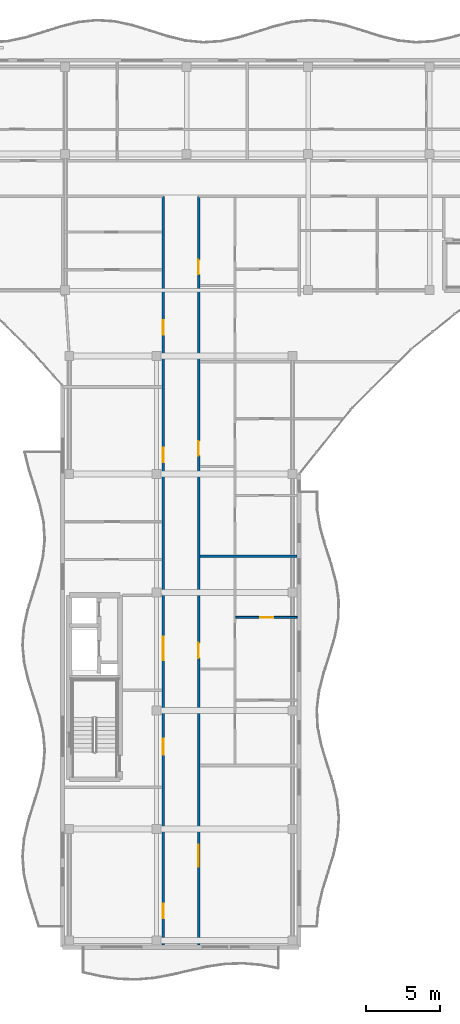
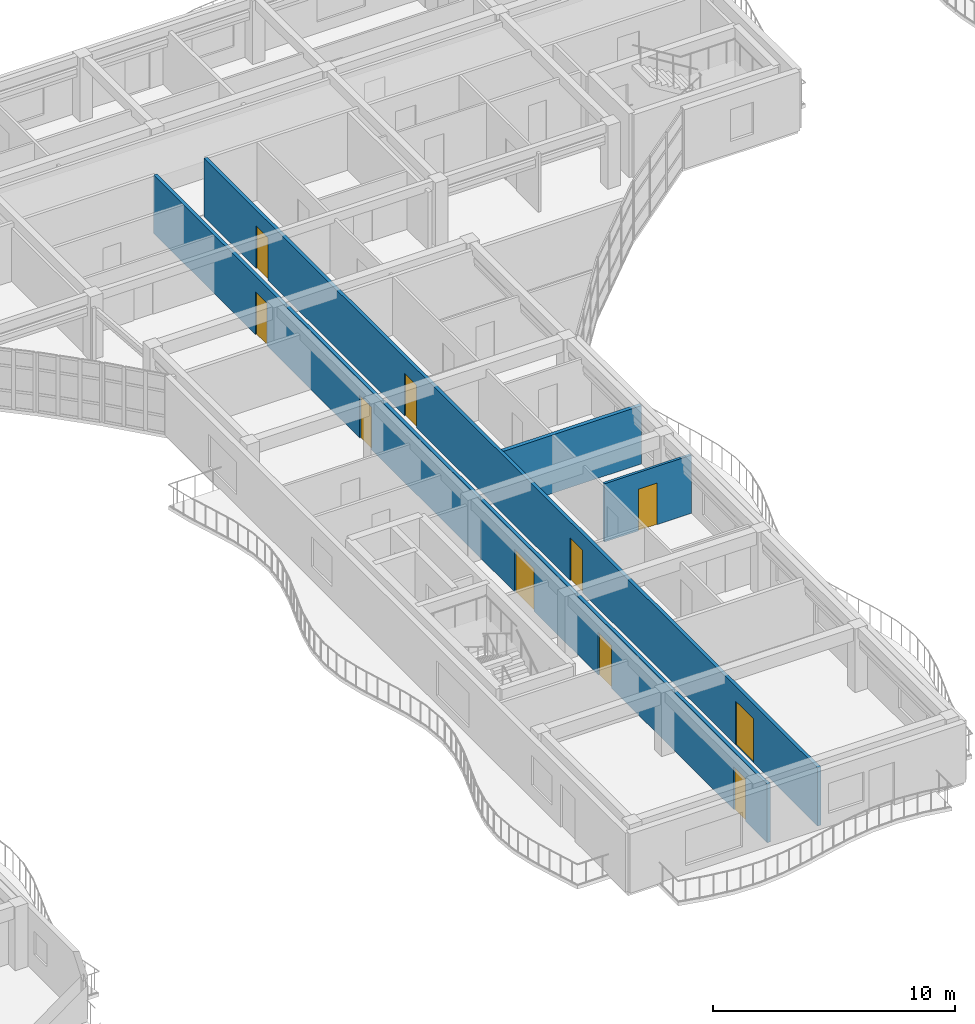
# One storey, part 32 of 72: 10 doors, 4 walls, 10 openings.
"""IFC4 building model written with IfcOpenShell, lengths in metres."""

from ifc_helpers import new_model, si_unit, direction, frame, frame_2d, origin, place, context, subcontext, project, spatial, rectangle, extrude, material, layer, layer_set, type_object, element, fill, save


model = new_model("IFC4")

# Units and contexts
model_context = context("Model", 3, precision=1e-05, world=origin(), true_north=direction((0.0, 1.0)))
body_context = subcontext(model_context, "Body", "Model", "MODEL_VIEW")
ifc_project = project(units=[si_unit("LENGTHUNIT", "METRE"), si_unit("AREAUNIT", "SQUARE_METRE"), si_unit("VOLUMEUNIT", "CUBIC_METRE"), si_unit("PLANEANGLEUNIT", "RADIAN"), si_unit("MASSUNIT", "GRAM", prefix="KILO")], contexts=[model_context])

# Site, building, storey
site_placement = place(None, origin())
site = spatial("IfcSite", under=ifc_project, at=site_placement, CompositionType="ELEMENT")
building_placement = place(site_placement, origin())
building = spatial("IfcBuilding", under=site, at=building_placement, Name="Keldmere Railside Commons", CompositionType="ELEMENT")
storey_placement = place(building_placement, frame((0.0, 0.0, 16.9599609375)))
storey = spatial("IfcBuildingStorey", under=building, at=storey_placement, Name="L05", CompositionType="ELEMENT", Elevation=16.9599609375)

# Wall
ifc_material_1 = material(Name="Acoustic Gypsum Board Partition", Category="gypsum")
ifc_layer_1 = layer(ifc_material_1, 0.179931640625, Name="Acoustic Demising Partition 180")
ifc_layer_set_1 = layer_set([ifc_layer_1], Name="Acoustic Gypsum Board Partition")
wall_type_1 = type_object("IfcWallType", Name="Acoustic Demising Partition 180", PredefinedType="PARTITIONING", material=ifc_layer_set_1)
wall_1_placement = place(storey_placement, frame((57.280029296875, 82.449951171875, 0.0), z_axis=(0.0, 0.0, 1.0), x_axis=(1.0, 0.0, 0.0)))
element("IfcWall", 1, at=wall_1_placement, inside=storey, type_object=wall_type_1, Name="IW-1 IW-L05-0694", PredefinedType="PARTITIONING", context=body_context, shape_type="SweptSolid", body=[
    extrude(rectangle(XDim=6.590087890625, YDim=0.179931640625, at=frame_2d((3.294921875, 0.0))), origin(), (0.0, 0.0, 1.0), 2.93505859375),
])

# Wall, opening, door
ifc_layer_2 = layer(ifc_material_1, 0.1201171875, Name="Apartment Interior Partition 120")
ifc_layer_set_2 = layer_set([ifc_layer_2], Name="Acoustic Gypsum Board Partition")
wall_type_2 = type_object("IfcWallType", Name="Apartment Interior Partition 120", PredefinedType="PARTITIONING", material=ifc_layer_set_2)
wall_2_placement = place(storey_placement, frame((59.719970703125, 78.31005859375, 0.0), z_axis=(0.0, 0.0, 1.0), x_axis=(1.0, 0.0, 0.0)))
wall_2 = element("IfcWall", 2, at=wall_2_placement, inside=storey, type_object=wall_type_2, Name="IW-4 IW-L05-0699", PredefinedType="PARTITIONING", context=body_context, shape_type="SweptSolid", body=[
    extrude(rectangle(XDim=4.150146484375, YDim=0.1201171875, at=frame_2d((2.0751953125, 0.0))), origin(), (0.0, 0.0, 1.0), 2.93505859375),
])
opening_1_placement = place(wall_2_placement, frame((1.635009765625, 0.0, 0.0)))
opening_1 = element("IfcOpeningElement", 3, at=opening_1_placement, cuts=wall_2, Name="Opening ID-02", PredefinedType="OPENING", context=body_context, shape_type="SweptSolid", body=[
    extrude(rectangle(XDim=0.8798828125, YDim=2.10009765625, at=frame_2d((0.43994140625, 1.050048828125))), frame((0.0, 0.070068359375, 0.0), z_axis=(0.0, -1.0, 0.0), x_axis=(1.0, 0.0, 0.0)), (0.0, 0.0, 1.0), 0.14013671875),
])
ifc_material_2 = material(Name="Engineered Oak Timber", Category="wood")
door_type_1 = type_object("IfcDoorType", Name="Secondary Bedroom Door 880x2100", OperationType="NOTDEFINED", PredefinedType="DOOR", material=ifc_material_2)
door_1_placement = place(opening_1_placement, origin())
door_1 = element("IfcDoor", 4, at=door_1_placement, inside=storey, type_object=door_type_1, Name="ID-02 IDR-L05-0583", OperationType="SINGLE_SWING_LEFT", OverallHeight=2.10009765625, OverallWidth=0.8798828125, PredefinedType="DOOR", context=body_context, shape_type="SweptSolid", body=[
    extrude(rectangle(XDim=0.8798828125, YDim=2.10009765625, at=frame_2d((0.43994140625, 1.050048828125))), frame((0.0, 0.02490234375, 0.0), z_axis=(0.0, -1.0, 0.0), x_axis=(1.0, 0.0, 0.0)), (0.0, 0.0, 1.0), 0.050048828125),
])
fill(opening_1, door_1)

# Wall, openings, doors
ifc_layer_3 = layer(ifc_material_1, 0.159912109375, Name="Corridor Fire Partition 160")
ifc_layer_set_3 = layer_set([ifc_layer_3], Name="Acoustic Gypsum Board Partition")
wall_type_3 = type_object("IfcWallType", Name="Corridor Fire Partition 160", PredefinedType="PARTITIONING", material=ifc_layer_set_3)
wall_3_placement = place(storey_placement, frame((54.800048828125, 56.159912109375, 0.0), z_axis=(0.0, 0.0, 1.0), x_axis=(0.0, 1.0, 0.0)))
wall_3 = element("IfcWall", 5, at=wall_3_placement, inside=storey, type_object=wall_type_3, Name="IW-2 IW-L05-0684", PredefinedType="PARTITIONING", context=body_context, shape_type="SweptSolid", body=[
    extrude(rectangle(XDim=50.64013671875, YDim=0.159912109375, at=frame_2d((25.320068359375, 0.0))), origin(), (0.0, 0.0, 1.0), 2.93505859375),
])
opening_2_placement = place(wall_3_placement, frame((12.840087890625, 0.0, 0.0)))
opening_2 = element("IfcOpeningElement", 6, at=opening_2_placement, cuts=wall_3, Name="Opening FD-2", PredefinedType="OPENING", context=body_context, shape_type="SweptSolid", body=[
    extrude(rectangle(XDim=1.10009765625, YDim=2.14990234375, at=frame_2d((0.550048828125, 1.074951171875))), frame((0.0, 0.08984375, 0.0), z_axis=(0.0, -1.0, 0.0), x_axis=(1.0, 0.0, 0.0)), (0.0, 0.0, 1.0), 0.179931640625),
])
opening_3_placement = place(wall_3_placement, frame((19.239990234375, 0.0, 0.0)))
opening_3 = element("IfcOpeningElement", 7, at=opening_3_placement, cuts=wall_3, Name="Opening FD-4", PredefinedType="OPENING", context=body_context, shape_type="SweptSolid", body=[
    extrude(rectangle(XDim=1.60009765625, YDim=2.14990234375, at=frame_2d((0.800048828125, 1.074951171875))), frame((0.0, 0.08984375, 0.0), z_axis=(0.0, -1.0, 0.0), x_axis=(1.0, 0.0, 0.0)), (0.0, 0.0, 1.0), 0.179931640625),
])
opening_4_placement = place(wall_3_placement, frame((1.800048828125, 0.0, 0.0)))
opening_4 = element("IfcOpeningElement", 8, at=opening_4_placement, cuts=wall_3, Name="Opening ID-08", PredefinedType="OPENING", context=body_context, shape_type="SweptSolid", body=[
    extrude(rectangle(XDim=0.9599609375, YDim=2.14990234375, at=frame_2d((0.47998046875, 1.074951171875))), frame((0.0, 0.08984375, 0.0), z_axis=(0.0, -1.0, 0.0), x_axis=(1.0, 0.0, 0.0)), (0.0, 0.0, 1.0), 0.179931640625),
])
opening_5_placement = place(wall_3_placement, frame((32.64501953125, 0.0, 0.0)))
opening_5 = element("IfcOpeningElement", 9, at=opening_5_placement, cuts=wall_3, Name="Opening FD-7", PredefinedType="OPENING", context=body_context, shape_type="SweptSolid", body=[
    extrude(rectangle(XDim=0.97998046875, YDim=2.14990234375, at=frame_2d((0.489990234375, 1.074951171875))), frame((0.0, 0.08984375, 0.0), z_axis=(0.0, -1.0, 0.0), x_axis=(1.0, 0.0, 0.0)), (0.0, 0.0, 1.0), 0.179931640625),
])
opening_6_placement = place(wall_3_placement, frame((41.2548828125, 0.0, 0.0)))
opening_6 = element("IfcOpeningElement", 10, at=opening_6_placement, cuts=wall_3, Name="Opening FD-7", PredefinedType="OPENING", context=body_context, shape_type="SweptSolid", body=[
    extrude(rectangle(XDim=0.97998046875, YDim=2.14990234375, at=frame_2d((0.489990234375, 1.074951171875))), frame((0.0, 0.08984375, 0.0), z_axis=(0.0, -1.0, 0.0), x_axis=(1.0, 0.0, 0.0)), (0.0, 0.0, 1.0), 0.179931640625),
])
door_type_2 = type_object("IfcDoorType", Name="Apartment Entrance Acoustic Fire Door 980x2150", OperationType="NOTDEFINED", PredefinedType="DOOR", material=ifc_material_2)
door_2_placement = place(opening_5_placement, origin())
door_2 = element("IfcDoor", 11, at=door_2_placement, inside=storey, type_object=door_type_2, Name="FD-7 IDR-L05-0610", OperationType="SINGLE_SWING_RIGHT", OverallHeight=2.14990234375, OverallWidth=0.97998046875, PredefinedType="DOOR", context=body_context, shape_type="SweptSolid", body=[
    extrude(rectangle(XDim=0.97998046875, YDim=2.14990234375, at=frame_2d((0.489990234375, 1.074951171875))), frame((0.0, 0.02490234375, 0.0), z_axis=(0.0, -1.0, 0.0), x_axis=(1.0, 0.0, 0.0)), (0.0, 0.0, 1.0), 0.050048828125),
])
fill(opening_5, door_2)
door_3_placement = place(opening_6_placement, origin())
door_3 = element("IfcDoor", 12, at=door_3_placement, inside=storey, type_object=door_type_2, Name="FD-7 IDR-L05-0613", OperationType="SINGLE_SWING_LEFT", OverallHeight=2.14990234375, OverallWidth=0.97998046875, PredefinedType="DOOR", context=body_context, shape_type="SweptSolid", body=[
    extrude(rectangle(XDim=0.97998046875, YDim=2.14990234375, at=frame_2d((0.489990234375, 1.074951171875))), frame((0.0, 0.02490234375, 0.0), z_axis=(0.0, -1.0, 0.0), x_axis=(1.0, 0.0, 0.0)), (0.0, 0.0, 1.0), 0.050048828125),
])
fill(opening_6, door_3)
ifc_material_3 = material(Name="Steel F-24 (S235)", Category="steel")
door_type_3 = type_object("IfcDoorType", Name="Corridor Cross-Compartment Double Fire Door 1600x2150", OperationType="DOUBLE_DOOR_SINGLE_SWING", PredefinedType="DOOR", material=ifc_material_3)
door_4_placement = place(opening_3_placement, origin())
door_4 = element("IfcDoor", 13, at=door_4_placement, inside=storey, type_object=door_type_3, Name="FD-4 IDR-L05-0577", OperationType="DOUBLE_DOOR_SINGLE_SWING", OverallHeight=2.14990234375, OverallWidth=1.60009765625, PredefinedType="DOOR", context=body_context, shape_type="SweptSolid", body=[
    extrude(rectangle(XDim=1.60009765625, YDim=2.14990234375, at=frame_2d((0.800048828125, 1.074951171875))), frame((0.0, 0.02490234375, 0.0), z_axis=(0.0, -1.0, 0.0), x_axis=(1.0, 0.0, 0.0)), (0.0, 0.0, 1.0), 0.050048828125),
])
fill(opening_3, door_4)
door_type_4 = type_object("IfcDoorType", Name="Firefighting Lobby Fire Door 1100x2150", OperationType="NOTDEFINED", PredefinedType="DOOR", material=ifc_material_3)
door_5_placement = place(opening_2_placement, origin())
door_5 = element("IfcDoor", 14, at=door_5_placement, inside=storey, type_object=door_type_4, Name="FD-2 IDR-L05-0576", OperationType="SINGLE_SWING_RIGHT", OverallHeight=2.14990234375, OverallWidth=1.10009765625, PredefinedType="DOOR", context=body_context, shape_type="SweptSolid", body=[
    extrude(rectangle(XDim=1.10009765625, YDim=2.14990234375, at=frame_2d((0.550048828125, 1.074951171875))), frame((0.0, 0.02490234375, 0.0), z_axis=(0.0, -1.0, 0.0), x_axis=(1.0, 0.0, 0.0)), (0.0, 0.0, 1.0), 0.050048828125),
])
fill(opening_2, door_5)
door_type_5 = type_object("IfcDoorType", Name="Study & Meeting Room Door 960x2150", OperationType="NOTDEFINED", PredefinedType="DOOR", material=ifc_material_2)
door_6_placement = place(opening_4_placement, origin())
door_6 = element("IfcDoor", 15, at=door_6_placement, inside=storey, type_object=door_type_5, Name="ID-08 IDR-L05-0607", OperationType="SINGLE_SWING_LEFT", OverallHeight=2.14990234375, OverallWidth=0.9599609375, PredefinedType="DOOR", context=body_context, shape_type="SweptSolid", body=[
    extrude(rectangle(XDim=0.9599609375, YDim=2.14990234375, at=frame_2d((0.47998046875, 1.074951171875))), frame((0.0, 0.02490234375, 0.0), z_axis=(0.0, -1.0, 0.0), x_axis=(1.0, 0.0, 0.0)), (0.0, 0.0, 1.0), 0.050048828125),
])
fill(opening_4, door_6)

wall_4_placement = place(storey_placement, frame((57.199951171875, 56.159912109375, 0.0), z_axis=(0.0, 0.0, 1.0), x_axis=(0.0, 1.0, 0.0)))
wall_4 = element("IfcWall", 16, at=wall_4_placement, inside=storey, type_object=wall_type_3, Name="IW-2 IW-L05-0685", PredefinedType="PARTITIONING", context=body_context, shape_type="SweptSolid", body=[
    extrude(rectangle(XDim=50.64013671875, YDim=0.159912109375, at=frame_2d((25.320068359375, 0.0))), origin(), (0.0, 0.0, 1.0), 2.93505859375),
])
opening_7_placement = place(wall_4_placement, frame((5.27001953125, 0.0, 0.0)))
opening_7 = element("IfcOpeningElement", 17, at=opening_7_placement, cuts=wall_4, Name="Opening ID-07", PredefinedType="OPENING", context=body_context, shape_type="SweptSolid", body=[
    extrude(rectangle(XDim=1.5, YDim=2.199951171875, at=frame_2d((0.75, 1.10009765625))), frame((0.0, 0.08984375, 0.0), z_axis=(0.0, -1.0, 0.0), x_axis=(1.0, 0.0, 0.0)), (0.0, 0.0, 1.0), 0.179931640625),
])
opening_8_placement = place(wall_4_placement, frame((19.39990234375, 0.0, 0.0)))
opening_8 = element("IfcOpeningElement", 18, at=opening_8_placement, cuts=wall_4, Name="Opening FD-8", PredefinedType="OPENING", context=body_context, shape_type="SweptSolid", body=[
    extrude(rectangle(XDim=1.02001953125, YDim=2.14990234375, at=frame_2d((0.510009765625, 1.074951171875))), frame((0.0, 0.08984375, 0.0), z_axis=(0.0, -1.0, 0.0), x_axis=(1.0, 0.0, 0.0)), (0.0, 0.0, 1.0), 0.179931640625),
])
opening_9_placement = place(wall_4_placement, frame((33.10009765625, 0.0, 0.0)))
opening_9 = element("IfcOpeningElement", 19, at=opening_9_placement, cuts=wall_4, Name="Opening FD-7", PredefinedType="OPENING", context=body_context, shape_type="SweptSolid", body=[
    extrude(rectangle(XDim=0.97998046875, YDim=2.14990234375, at=frame_2d((0.489990234375, 1.074951171875))), frame((0.0, 0.08984375, 0.0), z_axis=(0.0, -1.0, 0.0), x_axis=(1.0, 0.0, 0.0)), (0.0, 0.0, 1.0), 0.179931640625),
])
opening_10_placement = place(wall_4_placement, frame((45.35009765625, 0.0, 0.0)))
opening_10 = element("IfcOpeningElement", 20, at=opening_10_placement, cuts=wall_4, Name="Opening FD-7", PredefinedType="OPENING", context=body_context, shape_type="SweptSolid", body=[
    extrude(rectangle(XDim=0.97998046875, YDim=2.14990234375, at=frame_2d((0.489990234375, 1.074951171875))), frame((0.0, 0.08984375, 0.0), z_axis=(0.0, -1.0, 0.0), x_axis=(1.0, 0.0, 0.0)), (0.0, 0.0, 1.0), 0.179931640625),
])
door_type_6 = type_object("IfcDoorType", Name="Adaptable Apartment Entrance Fire Door 1020x2150", OperationType="NOTDEFINED", PredefinedType="DOOR", material=ifc_material_2)
door_7_placement = place(opening_8_placement, origin())
door_7 = element("IfcDoor", 21, at=door_7_placement, inside=storey, type_object=door_type_6, Name="FD-8 IDR-L05-0581", OperationType="SINGLE_SWING_LEFT", OverallHeight=2.14990234375, OverallWidth=1.02001953125, PredefinedType="DOOR", context=body_context, shape_type="SweptSolid", body=[
    extrude(rectangle(XDim=1.02001953125, YDim=2.14990234375, at=frame_2d((0.510009765625, 1.074951171875))), frame((0.0, 0.02490234375, 0.0), z_axis=(0.0, -1.0, 0.0), x_axis=(1.0, 0.0, 0.0)), (0.0, 0.0, 1.0), 0.050048828125),
])
fill(opening_8, door_7)
door_8_placement = place(opening_9_placement, origin())
door_8 = element("IfcDoor", 22, at=door_8_placement, inside=storey, type_object=door_type_2, Name="FD-7 IDR-L05-0586", OperationType="SINGLE_SWING_RIGHT", OverallHeight=2.14990234375, OverallWidth=0.97998046875, PredefinedType="DOOR", context=body_context, shape_type="SweptSolid", body=[
    extrude(rectangle(XDim=0.97998046875, YDim=2.14990234375, at=frame_2d((0.489990234375, 1.074951171875))), frame((0.0, 0.02490234375, 0.0), z_axis=(0.0, -1.0, 0.0), x_axis=(1.0, 0.0, 0.0)), (0.0, 0.0, 1.0), 0.050048828125),
])
fill(opening_9, door_8)
door_9_placement = place(opening_10_placement, origin())
door_9 = element("IfcDoor", 23, at=door_9_placement, inside=storey, type_object=door_type_2, Name="FD-7 IDR-L05-0591", OperationType="SINGLE_SWING_LEFT", OverallHeight=2.14990234375, OverallWidth=0.97998046875, PredefinedType="DOOR", context=body_context, shape_type="SweptSolid", body=[
    extrude(rectangle(XDim=0.97998046875, YDim=2.14990234375, at=frame_2d((0.489990234375, 1.074951171875))), frame((0.0, 0.02490234375, 0.0), z_axis=(0.0, -1.0, 0.0), x_axis=(1.0, 0.0, 0.0)), (0.0, 0.0, 1.0), 0.050048828125),
])
fill(opening_10, door_9)
door_type_7 = type_object("IfcDoorType", Name="Resident Lounge Double Door 1500x2200", OperationType="DOUBLE_DOOR_SINGLE_SWING", PredefinedType="DOOR", material=ifc_material_2)
door_10_placement = place(opening_7_placement, origin())
door_10 = element("IfcDoor", 24, at=door_10_placement, inside=storey, type_object=door_type_7, Name="ID-07 IDR-L05-0578", OperationType="DOUBLE_DOOR_SINGLE_SWING", OverallHeight=2.199951171875, OverallWidth=1.5, PredefinedType="DOOR", context=body_context, shape_type="SweptSolid", body=[
    extrude(rectangle(XDim=1.5, YDim=2.199951171875, at=frame_2d((0.75, 1.10009765625))), frame((0.0, 0.02490234375, 0.0), z_axis=(0.0, -1.0, 0.0), x_axis=(1.0, 0.0, 0.0)), (0.0, 0.0, 1.0), 0.050048828125),
])
fill(opening_7, door_10)

save(model, "model.ifc")
